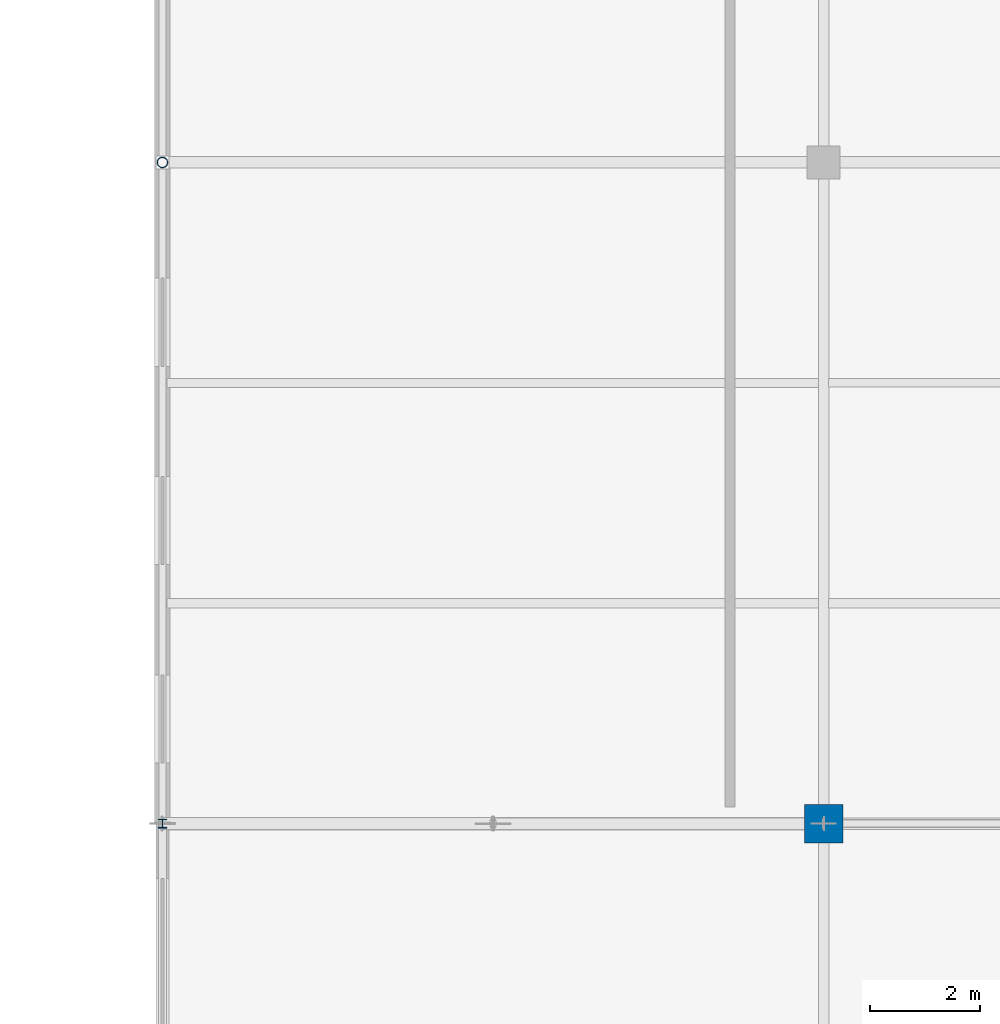
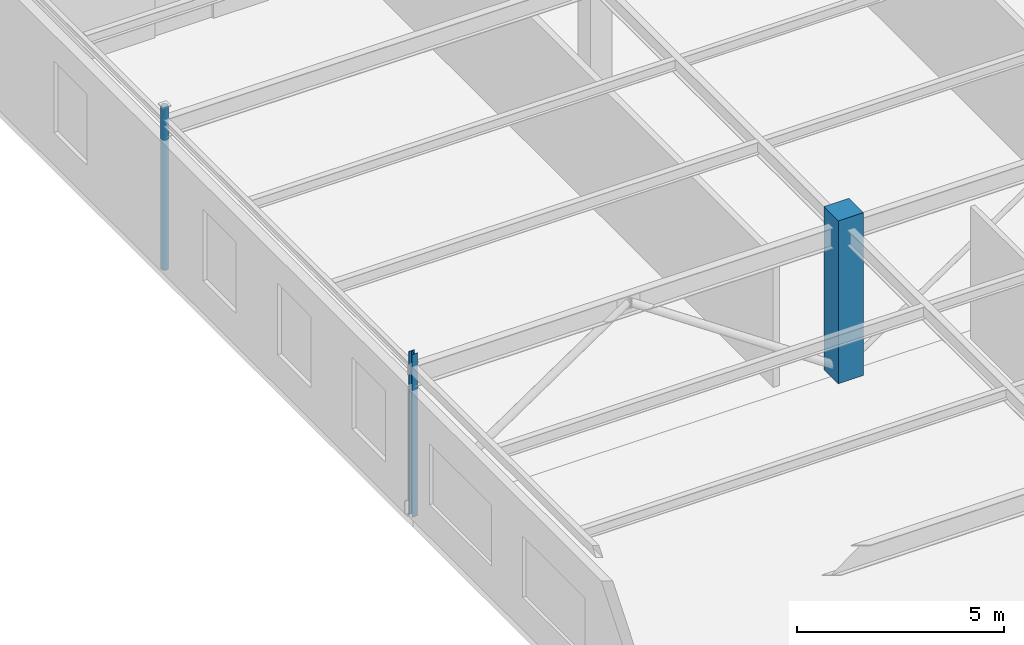
# One storey, part 6 of 199: 3 columns.
"""IFC4 building model written with IfcOpenShell, lengths in metres."""

import ifcopenshell
import ifcopenshell.guid

model = None  # the IFC model being written
_history = None  # IfcOwnerHistory: only IFC2X3 demands one
_inside = {}  # id of a spatial element -> (the spatial element, [elements in it])
_under = {}  # id of a project, library or spatial element -> (it, [spatial elements below it])
_declared = {}  # id of a project -> (the project, [libraries it declares])
_typed = {}  # id of a type object -> (the type object, [elements of that type])
_made_of = {}  # id of a material, layer set ... -> (it, [elements and type objects made of it])


def new_model(schema):
    """Start an empty IFC model of exactly this schema.

    Asked for "IFC4X3", IfcOpenShell would pick the latest addendum, in which some entities
    have other attributes; the version numbers below select the first issue.
    IFC2X3 requires an IfcOwnerHistory on every rooted entity: one is made here for all.
    """
    global model, _history
    if schema == "IFC4X3":
        model = ifcopenshell.file(schema_version=(4, 3, 0, 0))
    else:
        model = ifcopenshell.file(schema=schema)
    _inside.clear()
    _under.clear()
    _declared.clear()
    _typed.clear()
    _made_of.clear()
    _history = None
    if model.schema == "IFC2X3":
        org = make("IfcOrganization", Name="unknown")
        user = make(
            "IfcPersonAndOrganization",
            ThePerson=make("IfcPerson", FamilyName="unknown"),
            TheOrganization=org,
        )
        app = make(
            "IfcApplication",
            ApplicationDeveloper=org,
            Version="unknown",
            ApplicationFullName="unknown",
            ApplicationIdentifier="unknown",
        )
        _history = make(
            "IfcOwnerHistory",
            OwningUser=user,
            OwningApplication=app,
            ChangeAction="ADDED",
            CreationDate=0,
        )
    return model


def make(cls, **values):
    """One entity of the class cls with the attributes given. An attribute that is None is left unset."""
    return model.create_entity(
        cls, **{name: value for name, value in values.items() if value is not None}
    )


def rooted(cls, **values):
    """An entity with a GlobalId (a new one), such as an element, a storey or a relation."""
    return make(cls, GlobalId=ifcopenshell.guid.new(), OwnerHistory=_history, **values)


def si_unit(unit_type, name, prefix=None):
    """IfcSIUnit, for example si_unit("LENGTHUNIT", "METRE", prefix="MILLI")."""
    return make("IfcSIUnit", UnitType=unit_type, Prefix=prefix, Name=name)


def assignment(units):
    """IfcUnitAssignment: the units of a project."""
    return None if units is None else make("IfcUnitAssignment", Units=units)


def point(xyz):
    """IfcCartesianPoint."""
    return None if xyz is None else make("IfcCartesianPoint", Coordinates=xyz)


def direction(xyz):
    """IfcDirection."""
    return None if xyz is None else make("IfcDirection", DirectionRatios=xyz)


def frame(location, z_axis=None, x_axis=None):
    """IfcAxis2Placement3D, a coordinate frame: its origin and axes. An axis left out is left unset."""
    return make(
        "IfcAxis2Placement3D",
        Location=point(location),
        Axis=direction(z_axis),
        RefDirection=direction(x_axis),
    )


def frame_2d(location, x_axis=None):
    """IfcAxis2Placement2D, a coordinate frame in the plane: its origin and x axis."""
    return make(
        "IfcAxis2Placement2D", Location=point(location), RefDirection=direction(x_axis)
    )


def origin():
    """The frame at (0, 0, 0) with its axes left unset."""
    return frame((0.0, 0.0, 0.0))


def origin_2d():
    """The frame at (0, 0) in the plane with its x axis left unset."""
    return frame_2d((0.0, 0.0))


def place(relative_to, where):
    """IfcLocalPlacement: puts the frame where relative to a parent placement (None: the world)."""
    return make(
        "IfcLocalPlacement", PlacementRelTo=relative_to, RelativePlacement=where
    )


def context(
    kind, dimensions, precision=None, world=None, true_north=None, identifier=None
):
    """IfcGeometricRepresentationContext, for example the 3D "Model" context."""
    return make(
        "IfcGeometricRepresentationContext",
        ContextIdentifier=identifier,
        ContextType=kind,
        CoordinateSpaceDimension=dimensions,
        Precision=precision,
        WorldCoordinateSystem=world,
        TrueNorth=true_north,
    )


def subcontext(parent, identifier, kind, view, scale=None):
    """IfcGeometricRepresentationSubContext, for example "Body" below "Model"."""
    return make(
        "IfcGeometricRepresentationSubContext",
        ContextIdentifier=identifier,
        ContextType=kind,
        ParentContext=parent,
        TargetScale=scale,
        TargetView=view,
    )


def project(units=None, contexts=None):
    """IfcProject with its units and contexts."""
    return rooted(
        "IfcProject",
        Name="project",
        RepresentationContexts=contexts,
        UnitsInContext=assignment(units),
    )


def spatial(cls, under=None, at=None, **own):
    """A site, building, storey or space (cls), placed at a placement, below another one or the project."""
    s = rooted(cls, ObjectPlacement=at, **own)
    if under is not None:
        _under.setdefault(under.id(), (under, []))[1].append(s)
    return s


def profile(cls, at=None, kind="AREA", **sizes):
    """A parametric profile (cls). Its sizes go by their IFC names, for example OverallWidth=200.0."""
    return make(cls, ProfileType=kind, Position=at, **sizes)


def rectangle(**sizes):
    """IfcRectangleProfileDef."""
    return profile("IfcRectangleProfileDef", **sizes)


def hollow_circle(**sizes):
    """IfcCircleHollowProfileDef."""
    return profile("IfcCircleHollowProfileDef", **sizes)


def i_section(**sizes):
    """IfcIShapeProfileDef."""
    return profile("IfcIShapeProfileDef", **sizes)


def extrude(swept, where, along, depth):
    """IfcExtrudedAreaSolid: the profile swept, set in the frame where, extruded along a direction by depth."""
    return make(
        "IfcExtrudedAreaSolid",
        SweptArea=swept,
        Position=where,
        ExtrudedDirection=direction(along),
        Depth=depth,
    )


def shape(context_of_items, identifier, shape_type, items):
    """IfcShapeRepresentation: the items that make up one representation, for example the "Body"."""
    return make(
        "IfcShapeRepresentation",
        ContextOfItems=context_of_items,
        RepresentationIdentifier=identifier,
        RepresentationType=shape_type,
        Items=items,
    )


def material(Name=None, Category=None):
    """IfcMaterial."""
    return make("IfcMaterial", Name=Name, Category=Category)


def material_profile(
    of_material, cross_section, Name=None, Category=None, Priority=None
):
    """IfcMaterialProfile: a cross section and its material."""
    return make(
        "IfcMaterialProfile",
        Name=Name,
        Material=of_material,
        Profile=cross_section,
        Priority=Priority,
        Category=Category,
    )


def profile_set(profiles, Name=None, composite=None):
    """IfcMaterialProfileSet."""
    return make(
        "IfcMaterialProfileSet",
        Name=Name,
        MaterialProfiles=profiles,
        CompositeProfile=composite,
    )


def made_of(thing, what):
    """Note that an element or type object is made of a material, layer set ...; save() writes the relation."""
    if what is not None:
        _made_of.setdefault(what.id(), (what, []))[1].append(thing)
    return thing


def type_object(cls, material=None, **own):
    """A type object (cls), such as IfcWallType, which elements share."""
    return made_of(rooted(cls, **own), material)


def element(
    cls,
    number,
    at=None,
    inside=None,
    cuts=None,
    type_object=None,
    material=None,
    context=None,
    identifier="Body",
    shape_type=None,
    held_by="IfcProductDefinitionShape",
    body=None,
    shapes=None,
    **own,
):
    """One element of the class cls, such as IfcWall. Its Tag is "e" and its number.

    at: its placement. inside: the storey or other place that contains it. cuts: it is an
    opening in that element (IfcRelVoidsElement). A single representation is given by context,
    identifier, shape_type and body (its items); several are given by shapes. held_by: the class
    of the entity that holds the representations. save() writes the other relations.
    """
    e = rooted(cls, Tag="e%d" % number, ObjectPlacement=at, **own)
    if body is not None:
        shapes = [shape(context, identifier, shape_type, body)]
    if shapes is not None:
        e.Representation = make(held_by, Representations=shapes)
    if inside is not None:
        _inside.setdefault(inside.id(), (inside, []))[1].append(e)
    if cuts is not None:
        rooted(
            "IfcRelVoidsElement", RelatingBuildingElement=cuts, RelatedOpeningElement=e
        )
    if type_object is not None:
        _typed.setdefault(type_object.id(), (type_object, []))[1].append(e)
    return made_of(e, material)


def aggregate(whole, parts):
    """IfcRelAggregates: a whole, such as a stair, and the parts it consists of."""
    return rooted("IfcRelAggregates", RelatingObject=whole, RelatedObjects=parts)


def save(model, path):
    """Write the relations noted so far, then the file.

    IfcRelAggregates (storeys below a building ...), IfcRelContainedInSpatialStructure (elements
    in a storey), IfcRelDefinesByType, IfcRelAssociatesMaterial and IfcRelDeclares: one each for
    every whole, place, type object, material and project.
    """
    for whole, parts in _under.values():
        aggregate(whole, parts)
    for where, things in _inside.values():
        rooted(
            "IfcRelContainedInSpatialStructure",
            RelatedElements=things,
            RelatingStructure=where,
        )
    for kind, things in _typed.values():
        rooted("IfcRelDefinesByType", RelatedObjects=things, RelatingType=kind)
    for what, things in _made_of.values():
        rooted("IfcRelAssociatesMaterial", RelatedObjects=things, RelatingMaterial=what)
    for by, libraries in _declared.values():
        rooted("IfcRelDeclares", RelatingContext=by, RelatedDefinitions=libraries)
    model.write(path)


model = new_model("IFC4")

# Units and contexts
model_context = context("Model", 3, precision=1e-05, world=origin(), true_north=direction((0.0, 1.0)))
body_context = subcontext(model_context, "Body", "Model", "MODEL_VIEW")
ifc_project = project(units=[si_unit("LENGTHUNIT", "METRE"), si_unit("AREAUNIT", "SQUARE_METRE"), si_unit("VOLUMEUNIT", "CUBIC_METRE"), si_unit("PLANEANGLEUNIT", "RADIAN"), si_unit("MASSUNIT", "GRAM", prefix="KILO")], contexts=[model_context])

# Site, building, storey
site_placement = place(None, origin())
site = spatial("IfcSite", under=ifc_project, at=site_placement, CompositionType="ELEMENT")
building_placement = place(site_placement, origin())
building = spatial("IfcBuilding", under=site, at=building_placement, Name="Tarnwether General Hospital", CompositionType="ELEMENT")
storey_placement = place(building_placement, origin())
storey = spatial("IfcBuildingStorey", under=building, at=storey_placement, Name="L00", CompositionType="ELEMENT", Elevation=0.0)

# Columns
ifc_material_1 = material(Name="Concrete 50 MPa", Category="concrete")
ifc_material_profile_1 = material_profile(ifc_material_1, rectangle(XDim=0.699951171875, YDim=0.699951171875, at=origin_2d()), Name="RC-COL-700x700")
ifc_profile_set_1 = profile_set([ifc_material_profile_1], Name="Concrete 50 MPa")
column_type_1 = type_object("IfcColumnType", Name="COL-18", PredefinedType="COLUMN", material=ifc_profile_set_1)
column_1_placement = place(storey_placement, frame((12.0, 45.60009765625, 0.0), z_axis=(0.0, 0.0, 1.0), x_axis=(0.0, 1.0, 0.0)))
element("IfcColumn", 1, at=column_1_placement, inside=storey, type_object=column_type_1, Name="Column COLG-L00-1200_4560", PredefinedType="COLUMN", context=body_context, shape_type="SweptSolid", body=[
    extrude(rectangle(XDim=0.699951171875, YDim=0.699951171875, at=origin_2d()), origin(), (0.0, 0.0, 1.0), 4.800048828125),
])
ifc_material_2 = material(Name="Steel Grade 350 (350 MPa)", Category="steel")
ifc_material_profile_2 = material_profile(ifc_material_2, i_section(OverallWidth=0.154052734375, OverallDepth=0.162109375, WebThickness=0.008056640625, FlangeThickness=0.011474609375, at=origin_2d()), Name="150UC37.2")
ifc_profile_set_2 = profile_set([ifc_material_profile_2], Name="Steel Grade 350 (350 MPa)")
column_type_2 = type_object("IfcColumnType", Name="COL-28", PredefinedType="COLUMN", material=ifc_profile_set_2)
column_2_placement = place(storey_placement, frame((0.0, 45.60009765625, 0.0), z_axis=(0.0, 0.0, 1.0), x_axis=(1.0, 0.0, 0.0)))
element("IfcColumn", 2, at=column_2_placement, inside=storey, type_object=column_type_2, Name="Column COLG-L00-0_4560", PredefinedType="COLUMN", context=body_context, shape_type="SweptSolid", body=[
    extrude(i_section(OverallWidth=0.154052734375, OverallDepth=0.162109375, WebThickness=0.008056640625, FlangeThickness=0.011474609375, at=origin_2d()), origin(), (0.0, 0.0, 1.0), 4.800048828125),
])
ifc_material_3 = material(Name="Steel Grade C350L0 (350 MPa)", Category="steel")
ifc_material_profile_3 = material_profile(ifc_material_3, hollow_circle(Radius=0.096923828125, WallThickness=0.008056640625, at=origin_2d()), Name="CHS193.7x8.0")
ifc_profile_set_3 = profile_set([ifc_material_profile_3], Name="Steel Grade C350L0 (350 MPa)")
column_type_3 = type_object("IfcColumnType", Name="COL-29", PredefinedType="COLUMN", material=ifc_profile_set_3)
column_3_placement = place(storey_placement, frame((0.0, 57.60009765625, 0.0), z_axis=(0.0, 0.0, 1.0), x_axis=(1.0, 0.0, 0.0)))
element("IfcColumn", 3, at=column_3_placement, inside=storey, type_object=column_type_3, Name="Column COLG-L00-0_5760", PredefinedType="COLUMN", context=body_context, shape_type="SweptSolid", body=[
    extrude(hollow_circle(Radius=0.096923828125, WallThickness=0.008056640625, at=origin_2d()), origin(), (0.0, 0.0, 1.0), 4.800048828125),
])

save(model, "model.ifc")
